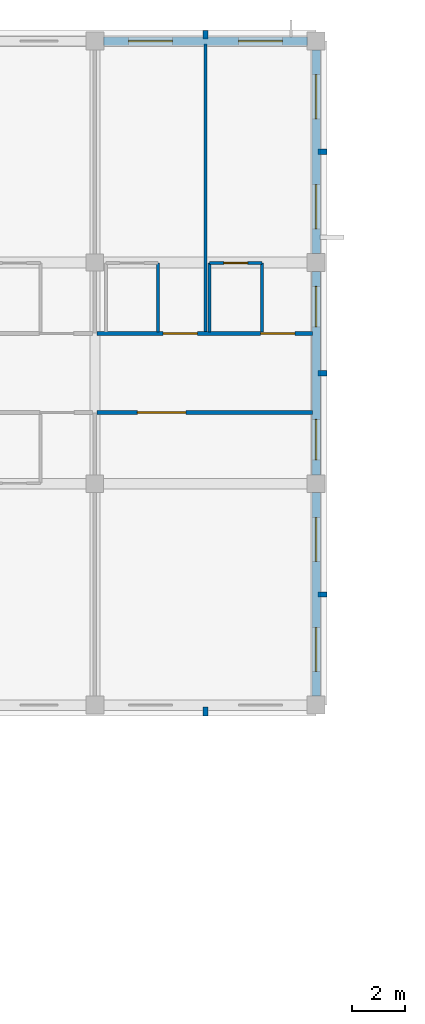
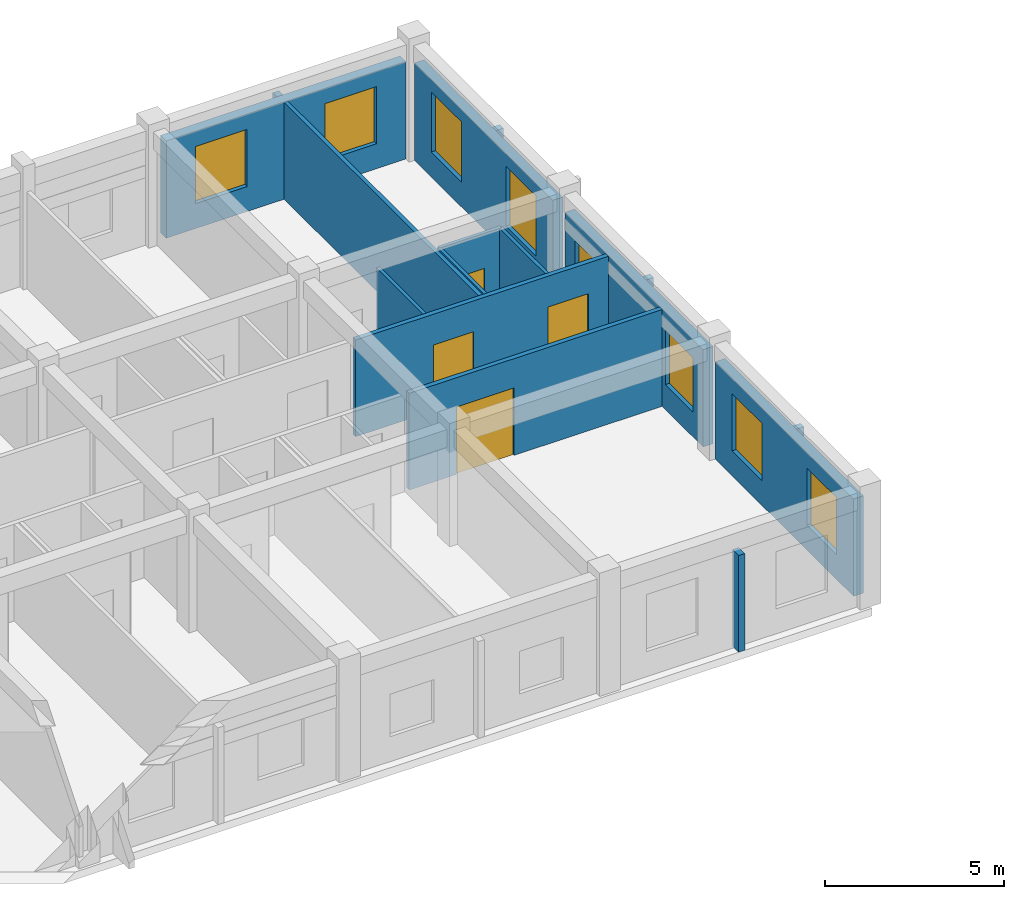
# One storey, part 125 of 140: 16 walls, 8 windows, 4 doors, 12 openings.
"""IFC4 building model written with IfcOpenShell, lengths in metres."""

import ifcopenshell
import ifcopenshell.guid

model = None  # the IFC model being written
_history = None  # IfcOwnerHistory: only IFC2X3 demands one
_inside = {}  # id of a spatial element -> (the spatial element, [elements in it])
_under = {}  # id of a project, library or spatial element -> (it, [spatial elements below it])
_declared = {}  # id of a project -> (the project, [libraries it declares])
_typed = {}  # id of a type object -> (the type object, [elements of that type])
_made_of = {}  # id of a material, layer set ... -> (it, [elements and type objects made of it])


def new_model(schema):
    """Start an empty IFC model of exactly this schema.

    Asked for "IFC4X3", IfcOpenShell would pick the latest addendum, in which some entities
    have other attributes; the version numbers below select the first issue.
    IFC2X3 requires an IfcOwnerHistory on every rooted entity: one is made here for all.
    """
    global model, _history
    if schema == "IFC4X3":
        model = ifcopenshell.file(schema_version=(4, 3, 0, 0))
    else:
        model = ifcopenshell.file(schema=schema)
    _inside.clear()
    _under.clear()
    _declared.clear()
    _typed.clear()
    _made_of.clear()
    _history = None
    if model.schema == "IFC2X3":
        org = make("IfcOrganization", Name="unknown")
        user = make(
            "IfcPersonAndOrganization",
            ThePerson=make("IfcPerson", FamilyName="unknown"),
            TheOrganization=org,
        )
        app = make(
            "IfcApplication",
            ApplicationDeveloper=org,
            Version="unknown",
            ApplicationFullName="unknown",
            ApplicationIdentifier="unknown",
        )
        _history = make(
            "IfcOwnerHistory",
            OwningUser=user,
            OwningApplication=app,
            ChangeAction="ADDED",
            CreationDate=0,
        )
    return model


def make(cls, **values):
    """One entity of the class cls with the attributes given. An attribute that is None is left unset."""
    return model.create_entity(
        cls, **{name: value for name, value in values.items() if value is not None}
    )


def rooted(cls, **values):
    """An entity with a GlobalId (a new one), such as an element, a storey or a relation."""
    return make(cls, GlobalId=ifcopenshell.guid.new(), OwnerHistory=_history, **values)


def si_unit(unit_type, name, prefix=None):
    """IfcSIUnit, for example si_unit("LENGTHUNIT", "METRE", prefix="MILLI")."""
    return make("IfcSIUnit", UnitType=unit_type, Prefix=prefix, Name=name)


def assignment(units):
    """IfcUnitAssignment: the units of a project."""
    return None if units is None else make("IfcUnitAssignment", Units=units)


def point(xyz):
    """IfcCartesianPoint."""
    return None if xyz is None else make("IfcCartesianPoint", Coordinates=xyz)


def direction(xyz):
    """IfcDirection."""
    return None if xyz is None else make("IfcDirection", DirectionRatios=xyz)


def frame(location, z_axis=None, x_axis=None):
    """IfcAxis2Placement3D, a coordinate frame: its origin and axes. An axis left out is left unset."""
    return make(
        "IfcAxis2Placement3D",
        Location=point(location),
        Axis=direction(z_axis),
        RefDirection=direction(x_axis),
    )


def frame_2d(location, x_axis=None):
    """IfcAxis2Placement2D, a coordinate frame in the plane: its origin and x axis."""
    return make(
        "IfcAxis2Placement2D", Location=point(location), RefDirection=direction(x_axis)
    )


def origin():
    """The frame at (0, 0, 0) with its axes left unset."""
    return frame((0.0, 0.0, 0.0))


def place(relative_to, where):
    """IfcLocalPlacement: puts the frame where relative to a parent placement (None: the world)."""
    return make(
        "IfcLocalPlacement", PlacementRelTo=relative_to, RelativePlacement=where
    )


def context(
    kind, dimensions, precision=None, world=None, true_north=None, identifier=None
):
    """IfcGeometricRepresentationContext, for example the 3D "Model" context."""
    return make(
        "IfcGeometricRepresentationContext",
        ContextIdentifier=identifier,
        ContextType=kind,
        CoordinateSpaceDimension=dimensions,
        Precision=precision,
        WorldCoordinateSystem=world,
        TrueNorth=true_north,
    )


def subcontext(parent, identifier, kind, view, scale=None):
    """IfcGeometricRepresentationSubContext, for example "Body" below "Model"."""
    return make(
        "IfcGeometricRepresentationSubContext",
        ContextIdentifier=identifier,
        ContextType=kind,
        ParentContext=parent,
        TargetScale=scale,
        TargetView=view,
    )


def project(units=None, contexts=None):
    """IfcProject with its units and contexts."""
    return rooted(
        "IfcProject",
        Name="project",
        RepresentationContexts=contexts,
        UnitsInContext=assignment(units),
    )


def spatial(cls, under=None, at=None, **own):
    """A site, building, storey or space (cls), placed at a placement, below another one or the project."""
    s = rooted(cls, ObjectPlacement=at, **own)
    if under is not None:
        _under.setdefault(under.id(), (under, []))[1].append(s)
    return s


def profile(cls, at=None, kind="AREA", **sizes):
    """A parametric profile (cls). Its sizes go by their IFC names, for example OverallWidth=200.0."""
    return make(cls, ProfileType=kind, Position=at, **sizes)


def rectangle(**sizes):
    """IfcRectangleProfileDef."""
    return profile("IfcRectangleProfileDef", **sizes)


def extrude(swept, where, along, depth):
    """IfcExtrudedAreaSolid: the profile swept, set in the frame where, extruded along a direction by depth."""
    return make(
        "IfcExtrudedAreaSolid",
        SweptArea=swept,
        Position=where,
        ExtrudedDirection=direction(along),
        Depth=depth,
    )


def shape(context_of_items, identifier, shape_type, items):
    """IfcShapeRepresentation: the items that make up one representation, for example the "Body"."""
    return make(
        "IfcShapeRepresentation",
        ContextOfItems=context_of_items,
        RepresentationIdentifier=identifier,
        RepresentationType=shape_type,
        Items=items,
    )


def material(Name=None, Category=None):
    """IfcMaterial."""
    return make("IfcMaterial", Name=Name, Category=Category)


def layer(
    of_material, thickness, ventilated=None, Name=None, Category=None, Priority=None
):
    """IfcMaterialLayer: one layer of a wall or slab, of a material (None: an air gap)."""
    return make(
        "IfcMaterialLayer",
        Material=of_material,
        LayerThickness=thickness,
        IsVentilated=ventilated,
        Name=Name,
        Category=Category,
        Priority=Priority,
    )


def layer_set(layers, Name=None):
    """IfcMaterialLayerSet."""
    return make("IfcMaterialLayerSet", MaterialLayers=layers, LayerSetName=Name)


def made_of(thing, what):
    """Note that an element or type object is made of a material, layer set ...; save() writes the relation."""
    if what is not None:
        _made_of.setdefault(what.id(), (what, []))[1].append(thing)
    return thing


def type_object(cls, material=None, **own):
    """A type object (cls), such as IfcWallType, which elements share."""
    return made_of(rooted(cls, **own), material)


def element(
    cls,
    number,
    at=None,
    inside=None,
    cuts=None,
    type_object=None,
    material=None,
    context=None,
    identifier="Body",
    shape_type=None,
    held_by="IfcProductDefinitionShape",
    body=None,
    shapes=None,
    **own,
):
    """One element of the class cls, such as IfcWall. Its Tag is "e" and its number.

    at: its placement. inside: the storey or other place that contains it. cuts: it is an
    opening in that element (IfcRelVoidsElement). A single representation is given by context,
    identifier, shape_type and body (its items); several are given by shapes. held_by: the class
    of the entity that holds the representations. save() writes the other relations.
    """
    e = rooted(cls, Tag="e%d" % number, ObjectPlacement=at, **own)
    if body is not None:
        shapes = [shape(context, identifier, shape_type, body)]
    if shapes is not None:
        e.Representation = make(held_by, Representations=shapes)
    if inside is not None:
        _inside.setdefault(inside.id(), (inside, []))[1].append(e)
    if cuts is not None:
        rooted(
            "IfcRelVoidsElement", RelatingBuildingElement=cuts, RelatedOpeningElement=e
        )
    if type_object is not None:
        _typed.setdefault(type_object.id(), (type_object, []))[1].append(e)
    return made_of(e, material)


def fill(opening, filler):
    """IfcRelFillsElement: the door or window that sits in an opening."""
    return rooted(
        "IfcRelFillsElement",
        RelatingOpeningElement=opening,
        RelatedBuildingElement=filler,
    )


def aggregate(whole, parts):
    """IfcRelAggregates: a whole, such as a stair, and the parts it consists of."""
    return rooted("IfcRelAggregates", RelatingObject=whole, RelatedObjects=parts)


def save(model, path):
    """Write the relations noted so far, then the file.

    IfcRelAggregates (storeys below a building ...), IfcRelContainedInSpatialStructure (elements
    in a storey), IfcRelDefinesByType, IfcRelAssociatesMaterial and IfcRelDeclares: one each for
    every whole, place, type object, material and project.
    """
    for whole, parts in _under.values():
        aggregate(whole, parts)
    for where, things in _inside.values():
        rooted(
            "IfcRelContainedInSpatialStructure",
            RelatedElements=things,
            RelatingStructure=where,
        )
    for kind, things in _typed.values():
        rooted("IfcRelDefinesByType", RelatedObjects=things, RelatingType=kind)
    for what, things in _made_of.values():
        rooted("IfcRelAssociatesMaterial", RelatedObjects=things, RelatingMaterial=what)
    for by, libraries in _declared.values():
        rooted("IfcRelDeclares", RelatingContext=by, RelatedDefinitions=libraries)
    model.write(path)


model = new_model("IFC4")

# Units and contexts
model_context = context("Model", 3, precision=1e-05, world=origin(), true_north=direction((0.0, 1.0)))
body_context = subcontext(model_context, "Body", "Model", "MODEL_VIEW")
ifc_project = project(units=[si_unit("LENGTHUNIT", "METRE"), si_unit("AREAUNIT", "SQUARE_METRE"), si_unit("VOLUMEUNIT", "CUBIC_METRE"), si_unit("PLANEANGLEUNIT", "RADIAN"), si_unit("MASSUNIT", "GRAM", prefix="KILO")], contexts=[model_context])

# Site, building, storey
site_placement = place(None, origin())
site = spatial("IfcSite", under=ifc_project, at=site_placement, CompositionType="ELEMENT")
building_placement = place(site_placement, origin())
building = spatial("IfcBuilding", under=site, at=building_placement, Name="Trelvath General Hospital", CompositionType="ELEMENT")
storey_placement = place(building_placement, frame((0.0, 0.0, 16.199951171875)))
storey = spatial("IfcBuildingStorey", under=building, at=storey_placement, Name="L04", CompositionType="ELEMENT", Elevation=16.199951171875)

# Walls
ifc_material_1 = material(Name="Precast concrete C40/50", Category="concrete")
ifc_layer_1 = layer(ifc_material_1, 0.199951171875)
ifc_layer_set_1 = layer_set([ifc_layer_1], Name="Precast concrete C40/50")
wall_type_1 = type_object("IfcWallType", Name="BriseSoleilRib 200", PredefinedType="ELEMENTEDWALL", material=ifc_layer_set_1)
for number, where, z_axis, x_axis, name in (
    (1, (130.199951171875, 92.324951171875, 0.0), (0.0, 0.0, 1.0), (0.0, -1.0, 0.0), "Precast Concrete Brise-Soleil Rib Fin L04-352"),
    (2, (134.47509765625, 96.60009765625, 0.0), (0.0, 0.0, 1.0), (1.0, 0.0, 0.0), "Precast Concrete Brise-Soleil Rib Fin L04-353"),
    (3, (134.47509765625, 105.0, 0.0), (0.0, 0.0, 1.0), (1.0, 0.0, 0.0), "Precast Concrete Brise-Soleil Rib Fin L04-354"),
    (4, (130.199951171875, 117.675048828125, 0.0), (0.0, 0.0, 1.0), (0.0, 1.0, 0.0), "Precast Concrete Brise-Soleil Rib Fin L04-355"),
    (5, (134.47509765625, 113.39990234375, 0.0), (0.0, 0.0, 1.0), (1.0, 0.0, 0.0), "Precast Concrete Brise-Soleil Rib Fin L04-356"),
):
    element("IfcWall", number, at=place(storey_placement, frame(where, z_axis=z_axis, x_axis=x_axis)), inside=storey, type_object=wall_type_1, Name=name, PredefinedType="ELEMENTEDWALL", context=body_context, shape_type="SweptSolid", body=[
        extrude(rectangle(XDim=0.33984375, YDim=0.199951171875, at=frame_2d((0.169921875, 0.0))), origin(), (0.0, 0.0, 1.0), 3.300048828125),
    ])

# Wall, opening, door
ifc_material_2 = material(Name="Gypsum acoustic steel-stud partition", Category="steel")
ifc_layer_2 = layer(ifc_material_2, 0.14990234375)
ifc_layer_set_2 = layer_set([ifc_layer_2], Name="Gypsum acoustic steel-stud partition")
wall_type_2 = type_object("IfcWallType", Name="ClinicalPartition 150", PredefinedType="PARTITIONING", material=ifc_layer_set_2)
wall_1_placement = place(storey_placement, frame((126.080078125, 103.5, 0.0), z_axis=(0.0, 0.0, 1.0), x_axis=(1.0, 0.0, 0.0)))
wall_1 = element("IfcWall", 6, at=wall_1_placement, inside=storey, type_object=wall_type_2, Name="Corridor Partition L04-1705", PredefinedType="PARTITIONING", context=body_context, shape_type="SweptSolid", body=[
    extrude(rectangle(XDim=8.179931640625, YDim=0.14990234375, at=frame_2d((4.08984375, 0.0))), origin(), (0.0, 0.0, 1.0), 3.300048828125),
])
opening_1_placement = place(wall_1_placement, frame((1.530029296875, 0.0, 0.0)))
opening_1 = element("IfcOpeningElement", 7, at=opening_1_placement, cuts=wall_1, Name="Opening D-4-1140", PredefinedType="OPENING", context=body_context, shape_type="SweptSolid", body=[
    extrude(rectangle(XDim=1.85009765625, YDim=2.300048828125, at=frame_2d((0.925048828125, 1.14990234375))), frame((0.0, 0.0849609375, 0.0), z_axis=(0.0, -1.0, 0.0), x_axis=(1.0, 0.0, 0.0)), (0.0, 0.0, 1.0), 0.169921875),
])
ifc_material_3 = material(Name="Fire-rated steel cross-corridor pair", Category="steel")
door_type_1 = type_object("IfcDoorType", Name="Door SmokeCross 1850x2300", OperationType="DOUBLE_SWING_LEFT", PredefinedType="DOOR", material=ifc_material_3)
door_1_placement = place(opening_1_placement, origin())
door_1 = element("IfcDoor", 8, at=door_1_placement, inside=storey, type_object=door_type_1, Name="Waiting Lounge Door L04-1140", OperationType="DOUBLE_SWING_LEFT", OverallHeight=2.300048828125, OverallWidth=1.85009765625, PredefinedType="DOOR", context=body_context, shape_type="SweptSolid", body=[
    extrude(rectangle(XDim=1.85009765625, YDim=2.300048828125, at=frame_2d((0.925048828125, 1.14990234375))), frame((0.0, 0.02490234375, 0.0), z_axis=(0.0, -1.0, 0.0), x_axis=(1.0, 0.0, 0.0)), (0.0, 0.0, 1.0), 0.050048828125),
])
fill(opening_1, door_1)

# Wall, openings, doors
wall_2_placement = place(storey_placement, frame((134.260009765625, 106.5, 0.0), z_axis=(0.0, 0.0, 1.0), x_axis=(-1.0, 0.0, 0.0)))
wall_2 = element("IfcWall", 9, at=wall_2_placement, inside=storey, type_object=wall_type_2, Name="Corridor Partition N L04-1706", PredefinedType="PARTITIONING", context=body_context, shape_type="SweptSolid", body=[
    extrude(rectangle(XDim=8.179931640625, YDim=0.14990234375, at=frame_2d((4.08984375, 0.0))), origin(), (0.0, 0.0, 1.0), 3.300048828125),
])
opening_2_placement = place(wall_2_placement, frame((0.669921875, 0.0, 0.0)))
opening_2 = element("IfcOpeningElement", 10, at=opening_2_placement, cuts=wall_2, Name="Opening D-4-1141", PredefinedType="OPENING", context=body_context, shape_type="SweptSolid", body=[
    extrude(rectangle(XDim=1.300048828125, YDim=2.25, at=frame_2d((0.64990234375, 1.125))), frame((0.0, 0.0849609375, 0.0), z_axis=(0.0, -1.0, 0.0), x_axis=(1.0, 0.0, 0.0)), (0.0, 0.0, 1.0), 0.169921875),
])
opening_3_placement = place(wall_2_placement, frame((4.3701171875, 0.0, 0.0)))
opening_3 = element("IfcOpeningElement", 11, at=opening_3_placement, cuts=wall_2, Name="Opening D-4-1142", PredefinedType="OPENING", context=body_context, shape_type="SweptSolid", body=[
    extrude(rectangle(XDim=1.300048828125, YDim=2.25, at=frame_2d((0.64990234375, 1.125))), frame((0.0, 0.0849609375, 0.0), z_axis=(0.0, -1.0, 0.0), x_axis=(1.0, 0.0, 0.0)), (0.0, 0.0, 1.0), 0.169921875),
])
ifc_material_4 = material(Name="Hospital bed-leaf timber door", Category="wood")
door_type_2 = type_object("IfcDoorType", Name="Door PatientBed 1300x2250", OperationType="NOTDEFINED", PredefinedType="DOOR", material=ifc_material_4)
door_2_placement = place(opening_2_placement, origin())
door_2 = element("IfcDoor", 12, at=door_2_placement, inside=storey, type_object=door_type_2, Name="Patient Room Door N L04-1141", OperationType="SINGLE_SWING_RIGHT", OverallHeight=2.25, OverallWidth=1.300048828125, PredefinedType="DOOR", context=body_context, shape_type="SweptSolid", body=[
    extrude(rectangle(XDim=1.300048828125, YDim=2.25, at=frame_2d((0.64990234375, 1.125))), frame((0.0, 0.02490234375, 0.0), z_axis=(0.0, -1.0, 0.0), x_axis=(1.0, 0.0, 0.0)), (0.0, 0.0, 1.0), 0.050048828125),
])
fill(opening_2, door_2)
door_3_placement = place(opening_3_placement, origin())
door_3 = element("IfcDoor", 13, at=door_3_placement, inside=storey, type_object=door_type_2, Name="Patient Room Door N L04-1142", OperationType="SINGLE_SWING_RIGHT", OverallHeight=2.25, OverallWidth=1.300048828125, PredefinedType="DOOR", context=body_context, shape_type="SweptSolid", body=[
    extrude(rectangle(XDim=1.300048828125, YDim=2.25, at=frame_2d((0.64990234375, 1.125))), frame((0.0, 0.02490234375, 0.0), z_axis=(0.0, -1.0, 0.0), x_axis=(1.0, 0.0, 0.0)), (0.0, 0.0, 1.0), 0.050048828125),
])
fill(opening_3, door_3)

# Walls
ifc_material_5 = material(Name="Moisture-resistant tile partition")
ifc_layer_3 = layer(ifc_material_5, 0.110107421875)
ifc_layer_set_3 = layer_set([ifc_layer_3], Name="Moisture-resistant tile partition")
wall_type_3 = type_object("IfcWallType", Name="EnSuiteWetWall 110", PredefinedType="PARTITIONING", material=ifc_layer_set_3)
for number, where, z_axis, x_axis, name in (
    (14, (128.39990234375, 106.570068359375, 0.0), (0.0, 0.0, 1.0), (0.0, 1.0, 0.0), "En-Suite E Wall N L04-1709"),
    (15, (130.360107421875, 106.570068359375, 0.0), (0.0, 0.0, 1.0), (0.0, 1.0, 0.0), "En-Suite W Wall N L04-1711"),
    (16, (132.340087890625, 106.570068359375, 0.0), (0.0, 0.0, 1.0), (0.0, 1.0, 0.0), "En-Suite E Wall N L04-1712"),
):
    element("IfcWall", number, at=place(storey_placement, frame(where, z_axis=z_axis, x_axis=x_axis)), inside=storey, type_object=wall_type_3, Name=name, PredefinedType="PARTITIONING", context=body_context, shape_type="SweptSolid", body=[
        extrude(rectangle(XDim=2.60986328125, YDim=0.110107421875, at=frame_2d((1.304931640625, 0.0))), origin(), (0.0, 0.0, 1.0), 3.300048828125),
    ])

# Wall, opening, door
wall_3_placement = place(storey_placement, frame((130.360107421875, 109.179931640625, 0.0), z_axis=(0.0, 0.0, 1.0), x_axis=(1.0, 0.0, 0.0)))
wall_3 = element("IfcWall", 17, at=wall_3_placement, inside=storey, type_object=wall_type_3, Name="En-Suite Bathroom N Partition L04-1713", PredefinedType="PARTITIONING", context=body_context, shape_type="SweptSolid", body=[
    extrude(rectangle(XDim=1.97998046875, YDim=0.110107421875, at=frame_2d((0.989990234375, 0.0))), origin(), (0.0, 0.0, 1.0), 3.300048828125),
])
opening_4_placement = place(wall_3_placement, frame((0.5400390625, 0.0, 0.0)))
opening_4 = element("IfcOpeningElement", 18, at=opening_4_placement, cuts=wall_3, Name="Opening D-4-1144", PredefinedType="OPENING", context=body_context, shape_type="SweptSolid", body=[
    extrude(rectangle(XDim=0.89990234375, YDim=2.10009765625, at=frame_2d((0.449951171875, 1.050048828125))), frame((0.0, 0.06494140625, 0.0), z_axis=(0.0, -1.0, 0.0), x_axis=(1.0, 0.0, 0.0)), (0.0, 0.0, 1.0), 0.130126953125),
])
ifc_material_6 = material(Name="Moisture-sealed timber leaf", Category="wood")
door_type_3 = type_object("IfcDoorType", Name="Door EnSuite 900x2100", OperationType="NOTDEFINED", PredefinedType="DOOR", material=ifc_material_6)
door_4_placement = place(opening_4_placement, origin())
door_4 = element("IfcDoor", 19, at=door_4_placement, inside=storey, type_object=door_type_3, Name="En-Suite Bathroom N Door L04-1144", OperationType="SINGLE_SWING_RIGHT", OverallHeight=2.10009765625, OverallWidth=0.89990234375, PredefinedType="DOOR", context=body_context, shape_type="SweptSolid", body=[
    extrude(rectangle(XDim=0.89990234375, YDim=2.10009765625, at=frame_2d((0.449951171875, 1.050048828125))), frame((0.0, 0.02490234375, 0.0), z_axis=(0.0, -1.0, 0.0), x_axis=(1.0, 0.0, 0.0)), (0.0, 0.0, 1.0), 0.050048828125),
])
fill(opening_4, door_4)

# Wall, openings, windows
ifc_material_7 = material(Name="Concrete C35/45", Category="concrete")
ifc_layer_4 = layer(ifc_material_7, 0.320068359375)
ifc_layer_set_4 = layer_set([ifc_layer_4], Name="Concrete C35/45")
wall_type_4 = type_object("IfcWallType", Name="ExtThermalWall 320", PredefinedType="SOLIDWALL", material=ifc_layer_set_4)
wall_4_placement = place(storey_placement, frame((134.39990234375, 100.465087890625, 0.0), z_axis=(0.0, 0.0, 1.0), x_axis=(0.0, -1.0, 0.0)))
wall_4 = element("IfcWall", 20, at=wall_4_placement, inside=storey, type_object=wall_type_4, Name="Exterior Concrete Wall L04-484", PredefinedType="SOLIDWALL", context=body_context, shape_type="SweptSolid", body=[
    extrude(rectangle(XDim=7.72998046875, YDim=0.320068359375, at=frame_2d((3.864990234375, 0.0))), origin(), (0.0, 0.0, 1.0), 3.320068359375),
])
opening_5_placement = place(wall_4_placement, frame((0.947998046875, 0.0, 0.85009765625)))
opening_5 = element("IfcOpeningElement", 21, at=opening_5_placement, cuts=wall_4, Name="Opening WN-4-795", PredefinedType="OPENING", context=body_context, shape_type="SweptSolid", body=[
    extrude(rectangle(XDim=1.659912109375, YDim=1.949951171875, at=frame_2d((0.830078125, 0.97509765625))), frame((0.0, 0.169921875, 0.0), z_axis=(0.0, -1.0, 0.0), x_axis=(1.0, 0.0, 0.0)), (0.0, 0.0, 1.0), 0.340087890625),
])
opening_6_placement = place(wall_4_placement, frame((5.1220703125, 0.0, 0.85009765625)))
opening_6 = element("IfcOpeningElement", 22, at=opening_6_placement, cuts=wall_4, Name="Opening WN-4-796", PredefinedType="OPENING", context=body_context, shape_type="SweptSolid", body=[
    extrude(rectangle(XDim=1.659912109375, YDim=1.949951171875, at=frame_2d((0.830078125, 0.97509765625))), frame((0.0, 0.169921875, 0.0), z_axis=(0.0, -1.0, 0.0), x_axis=(1.0, 0.0, 0.0)), (0.0, 0.0, 1.0), 0.340087890625),
])
ifc_material_8 = material(Name="Low-E laminated glass", Category="glass")
window_type_1 = type_object("IfcWindowType", Name="Window Dayroom 1660x1950", PartitioningType="DOUBLE_PANEL_VERTICAL", PredefinedType="WINDOW", material=ifc_material_8)
window_1_placement = place(opening_5_placement, origin())
window_1 = element("IfcWindow", 23, at=window_1_placement, inside=storey, type_object=window_type_1, Name="Solar Reveal Window L04-795", OverallHeight=1.949951171875, OverallWidth=1.659912109375, PartitioningType="SINGLE_PANEL", PredefinedType="WINDOW", context=body_context, shape_type="SweptSolid", body=[
    extrude(rectangle(XDim=1.659912109375, YDim=1.949951171875, at=frame_2d((0.830078125, 0.97509765625))), frame((0.0, 0.030029296875, 0.0), z_axis=(0.0, -1.0, 0.0), x_axis=(1.0, 0.0, 0.0)), (0.0, 0.0, 1.0), 0.06005859375),
])
fill(opening_5, window_1)
window_2_placement = place(opening_6_placement, origin())
window_2 = element("IfcWindow", 24, at=window_2_placement, inside=storey, type_object=window_type_1, Name="Solar Reveal Window L04-796", OverallHeight=1.949951171875, OverallWidth=1.659912109375, PartitioningType="SINGLE_PANEL", PredefinedType="WINDOW", context=body_context, shape_type="SweptSolid", body=[
    extrude(rectangle(XDim=1.659912109375, YDim=1.949951171875, at=frame_2d((0.830078125, 0.97509765625))), frame((0.0, 0.030029296875, 0.0), z_axis=(0.0, -1.0, 0.0), x_axis=(1.0, 0.0, 0.0)), (0.0, 0.0, 1.0), 0.06005859375),
])
fill(opening_6, window_2)

wall_5_placement = place(storey_placement, frame((134.39990234375, 108.864990234375, 0.0), z_axis=(0.0, 0.0, 1.0), x_axis=(0.0, -1.0, 0.0)))
wall_5 = element("IfcWall", 25, at=wall_5_placement, inside=storey, type_object=wall_type_4, Name="Exterior Concrete Wall L04-485", PredefinedType="SOLIDWALL", context=body_context, shape_type="SweptSolid", body=[
    extrude(rectangle(XDim=7.72998046875, YDim=0.320068359375, at=frame_2d((3.864990234375, 0.0))), origin(), (0.0, 0.0, 1.0), 3.320068359375),
])
opening_7_placement = place(wall_5_placement, frame((0.570068359375, 0.0, 0.85009765625)))
opening_7 = element("IfcOpeningElement", 26, at=opening_7_placement, cuts=wall_5, Name="Opening WN-4-797", PredefinedType="OPENING", context=body_context, shape_type="SweptSolid", body=[
    extrude(rectangle(XDim=1.5400390625, YDim=1.85009765625, at=frame_2d((0.77001953125, 0.925048828125))), frame((0.0, 0.169921875, 0.0), z_axis=(0.0, -1.0, 0.0), x_axis=(1.0, 0.0, 0.0)), (0.0, 0.0, 1.0), 0.340087890625),
])
opening_8_placement = place(wall_5_placement, frame((5.6201171875, 0.0, 0.85009765625)))
opening_8 = element("IfcOpeningElement", 27, at=opening_8_placement, cuts=wall_5, Name="Opening WN-4-798", PredefinedType="OPENING", context=body_context, shape_type="SweptSolid", body=[
    extrude(rectangle(XDim=1.5400390625, YDim=1.85009765625, at=frame_2d((0.77001953125, 0.925048828125))), frame((0.0, 0.169921875, 0.0), z_axis=(0.0, -1.0, 0.0), x_axis=(1.0, 0.0, 0.0)), (0.0, 0.0, 1.0), 0.340087890625),
])
ifc_material_9 = material(Name="Low-E laminated glass", Category="glass")
window_type_2 = type_object("IfcWindowType", Name="Window Waiting 1540x1850", PartitioningType="DOUBLE_PANEL_VERTICAL", PredefinedType="WINDOW", material=ifc_material_9)
window_3_placement = place(opening_7_placement, origin())
window_3 = element("IfcWindow", 28, at=window_3_placement, inside=storey, type_object=window_type_2, Name="Solar Reveal Window L04-797", OverallHeight=1.85009765625, OverallWidth=1.5400390625, PartitioningType="SINGLE_PANEL", PredefinedType="WINDOW", context=body_context, shape_type="SweptSolid", body=[
    extrude(rectangle(XDim=1.5400390625, YDim=1.85009765625, at=frame_2d((0.77001953125, 0.925048828125))), frame((0.0, 0.030029296875, 0.0), z_axis=(0.0, -1.0, 0.0), x_axis=(1.0, 0.0, 0.0)), (0.0, 0.0, 1.0), 0.06005859375),
])
fill(opening_7, window_3)
window_4_placement = place(opening_8_placement, origin())
window_4 = element("IfcWindow", 29, at=window_4_placement, inside=storey, type_object=window_type_2, Name="Solar Reveal Window L04-798", OverallHeight=1.85009765625, OverallWidth=1.5400390625, PartitioningType="SINGLE_PANEL", PredefinedType="WINDOW", context=body_context, shape_type="SweptSolid", body=[
    extrude(rectangle(XDim=1.5400390625, YDim=1.85009765625, at=frame_2d((0.77001953125, 0.925048828125))), frame((0.0, 0.030029296875, 0.0), z_axis=(0.0, -1.0, 0.0), x_axis=(1.0, 0.0, 0.0)), (0.0, 0.0, 1.0), 0.06005859375),
])
fill(opening_8, window_4)

wall_6_placement = place(storey_placement, frame((126.3349609375, 117.60009765625, 0.0), z_axis=(0.0, 0.0, 1.0), x_axis=(1.0, 0.0, 0.0)))
wall_6 = element("IfcWall", 30, at=wall_6_placement, inside=storey, type_object=wall_type_4, Name="Exterior Concrete Wall L04-486", PredefinedType="SOLIDWALL", context=body_context, shape_type="SweptSolid", body=[
    extrude(rectangle(XDim=7.72998046875, YDim=0.320068359375, at=frame_2d((3.864990234375, 0.0))), origin(), (0.0, 0.0, 1.0), 3.320068359375),
])
opening_9_placement = place(wall_6_placement, frame((0.947998046875, 0.0, 0.85009765625)))
opening_9 = element("IfcOpeningElement", 31, at=opening_9_placement, cuts=wall_6, Name="Opening WN-4-799", PredefinedType="OPENING", context=body_context, shape_type="SweptSolid", body=[
    extrude(rectangle(XDim=1.659912109375, YDim=1.949951171875, at=frame_2d((0.830078125, 0.97509765625))), frame((0.0, 0.169921875, 0.0), z_axis=(0.0, -1.0, 0.0), x_axis=(1.0, 0.0, 0.0)), (0.0, 0.0, 1.0), 0.340087890625),
])
opening_10_placement = place(wall_6_placement, frame((5.1220703125, 0.0, 0.85009765625)))
opening_10 = element("IfcOpeningElement", 32, at=opening_10_placement, cuts=wall_6, Name="Opening WN-4-800", PredefinedType="OPENING", context=body_context, shape_type="SweptSolid", body=[
    extrude(rectangle(XDim=1.659912109375, YDim=1.949951171875, at=frame_2d((0.830078125, 0.97509765625))), frame((0.0, 0.169921875, 0.0), z_axis=(0.0, -1.0, 0.0), x_axis=(1.0, 0.0, 0.0)), (0.0, 0.0, 1.0), 0.340087890625),
])
window_5_placement = place(opening_9_placement, origin())
window_5 = element("IfcWindow", 33, at=window_5_placement, inside=storey, type_object=window_type_1, Name="Solar Reveal Window L04-799", OverallHeight=1.949951171875, OverallWidth=1.659912109375, PartitioningType="SINGLE_PANEL", PredefinedType="WINDOW", context=body_context, shape_type="SweptSolid", body=[
    extrude(rectangle(XDim=1.659912109375, YDim=1.949951171875, at=frame_2d((0.830078125, 0.97509765625))), frame((0.0, 0.030029296875, 0.0), z_axis=(0.0, -1.0, 0.0), x_axis=(1.0, 0.0, 0.0)), (0.0, 0.0, 1.0), 0.06005859375),
])
fill(opening_9, window_5)
window_6_placement = place(opening_10_placement, origin())
window_6 = element("IfcWindow", 34, at=window_6_placement, inside=storey, type_object=window_type_1, Name="Solar Reveal Window L04-800", OverallHeight=1.949951171875, OverallWidth=1.659912109375, PartitioningType="SINGLE_PANEL", PredefinedType="WINDOW", context=body_context, shape_type="SweptSolid", body=[
    extrude(rectangle(XDim=1.659912109375, YDim=1.949951171875, at=frame_2d((0.830078125, 0.97509765625))), frame((0.0, 0.030029296875, 0.0), z_axis=(0.0, -1.0, 0.0), x_axis=(1.0, 0.0, 0.0)), (0.0, 0.0, 1.0), 0.06005859375),
])
fill(opening_10, window_6)

wall_7_placement = place(storey_placement, frame((134.39990234375, 117.264892578125, 0.0), z_axis=(0.0, 0.0, 1.0), x_axis=(0.0, -1.0, 0.0)))
wall_7 = element("IfcWall", 35, at=wall_7_placement, inside=storey, type_object=wall_type_4, Name="Exterior Concrete Wall L04-487", PredefinedType="SOLIDWALL", context=body_context, shape_type="SweptSolid", body=[
    extrude(rectangle(XDim=7.72998046875, YDim=0.320068359375, at=frame_2d((3.864990234375, 0.0))), origin(), (0.0, 0.0, 1.0), 3.320068359375),
])
opening_11_placement = place(wall_7_placement, frame((0.93798828125, 0.0, 0.85009765625)))
opening_11 = element("IfcOpeningElement", 36, at=opening_11_placement, cuts=wall_7, Name="Opening WN-4-801", PredefinedType="OPENING", context=body_context, shape_type="SweptSolid", body=[
    extrude(rectangle(XDim=1.679931640625, YDim=2.050048828125, at=frame_2d((0.83984375, 1.02490234375))), frame((0.0, 0.169921875, 0.0), z_axis=(0.0, -1.0, 0.0), x_axis=(1.0, 0.0, 0.0)), (0.0, 0.0, 1.0), 0.340087890625),
])
opening_12_placement = place(wall_7_placement, frame((5.112060546875, 0.0, 0.85009765625)))
opening_12 = element("IfcOpeningElement", 37, at=opening_12_placement, cuts=wall_7, Name="Opening WN-4-802", PredefinedType="OPENING", context=body_context, shape_type="SweptSolid", body=[
    extrude(rectangle(XDim=1.679931640625, YDim=2.050048828125, at=frame_2d((0.83984375, 1.02490234375))), frame((0.0, 0.169921875, 0.0), z_axis=(0.0, -1.0, 0.0), x_axis=(1.0, 0.0, 0.0)), (0.0, 0.0, 1.0), 0.340087890625),
])
ifc_material_10 = material(Name="Low-E laminated glass", Category="glass")
window_type_3 = type_object("IfcWindowType", Name="Window Cafe 1680x2050", PartitioningType="DOUBLE_PANEL_VERTICAL", PredefinedType="WINDOW", material=ifc_material_10)
window_7_placement = place(opening_11_placement, origin())
window_7 = element("IfcWindow", 38, at=window_7_placement, inside=storey, type_object=window_type_3, Name="Solar Reveal Window L04-801", OverallHeight=2.050048828125, OverallWidth=1.679931640625, PartitioningType="SINGLE_PANEL", PredefinedType="WINDOW", context=body_context, shape_type="SweptSolid", body=[
    extrude(rectangle(XDim=1.679931640625, YDim=2.050048828125, at=frame_2d((0.83984375, 1.02490234375))), frame((0.0, 0.030029296875, 0.0), z_axis=(0.0, -1.0, 0.0), x_axis=(1.0, 0.0, 0.0)), (0.0, 0.0, 1.0), 0.06005859375),
])
fill(opening_11, window_7)
window_8_placement = place(opening_12_placement, origin())
window_8 = element("IfcWindow", 39, at=window_8_placement, inside=storey, type_object=window_type_3, Name="Solar Reveal Window L04-802", OverallHeight=2.050048828125, OverallWidth=1.679931640625, PartitioningType="SINGLE_PANEL", PredefinedType="WINDOW", context=body_context, shape_type="SweptSolid", body=[
    extrude(rectangle(XDim=1.679931640625, YDim=2.050048828125, at=frame_2d((0.83984375, 1.02490234375))), frame((0.0, 0.030029296875, 0.0), z_axis=(0.0, -1.0, 0.0), x_axis=(1.0, 0.0, 0.0)), (0.0, 0.0, 1.0), 0.06005859375),
])
fill(opening_12, window_8)

# Wall
ifc_material_11 = material(Name="Gypsum acoustic steel-stud partition", Category="steel")
ifc_layer_5 = layer(ifc_material_11, 0.1298828125)
ifc_layer_set_5 = layer_set([ifc_layer_5], Name="Gypsum acoustic steel-stud partition")
wall_type_5 = type_object("IfcWallType", Name="WardPartition 130", PredefinedType="PARTITIONING", material=ifc_layer_set_5)
wall_8_placement = place(storey_placement, frame((130.199951171875, 106.570068359375, 0.0), z_axis=(0.0, 0.0, 1.0), x_axis=(0.0, 1.0, 0.0)))
element("IfcWall", 40, at=wall_8_placement, inside=storey, type_object=wall_type_5, Name="Room Dividing Partition N L04-1707", PredefinedType="PARTITIONING", context=body_context, shape_type="SweptSolid", body=[
    extrude(rectangle(XDim=10.929931640625, YDim=0.1298828125, at=frame_2d((5.46484375, 0.0))), origin(), (0.0, 0.0, 1.0), 3.300048828125),
])

save(model, "model.ifc")
